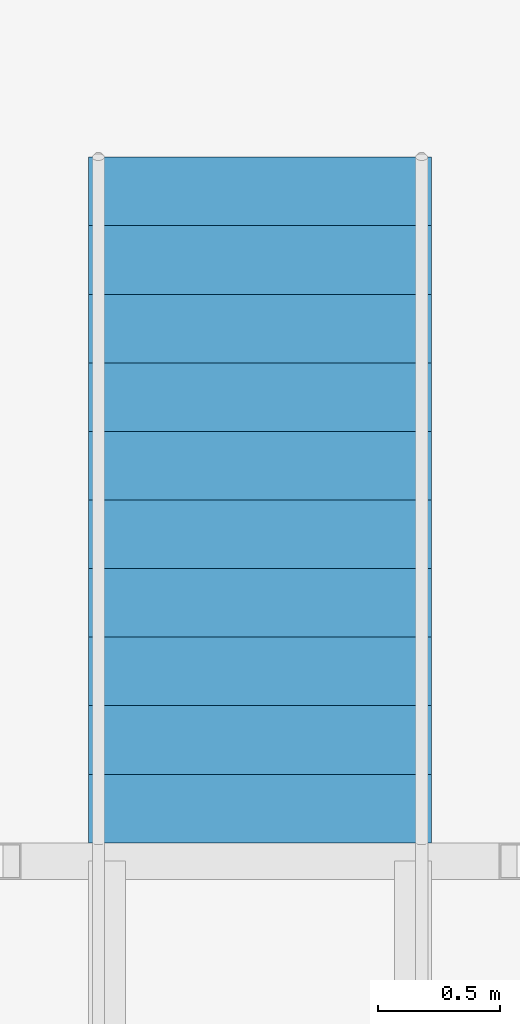
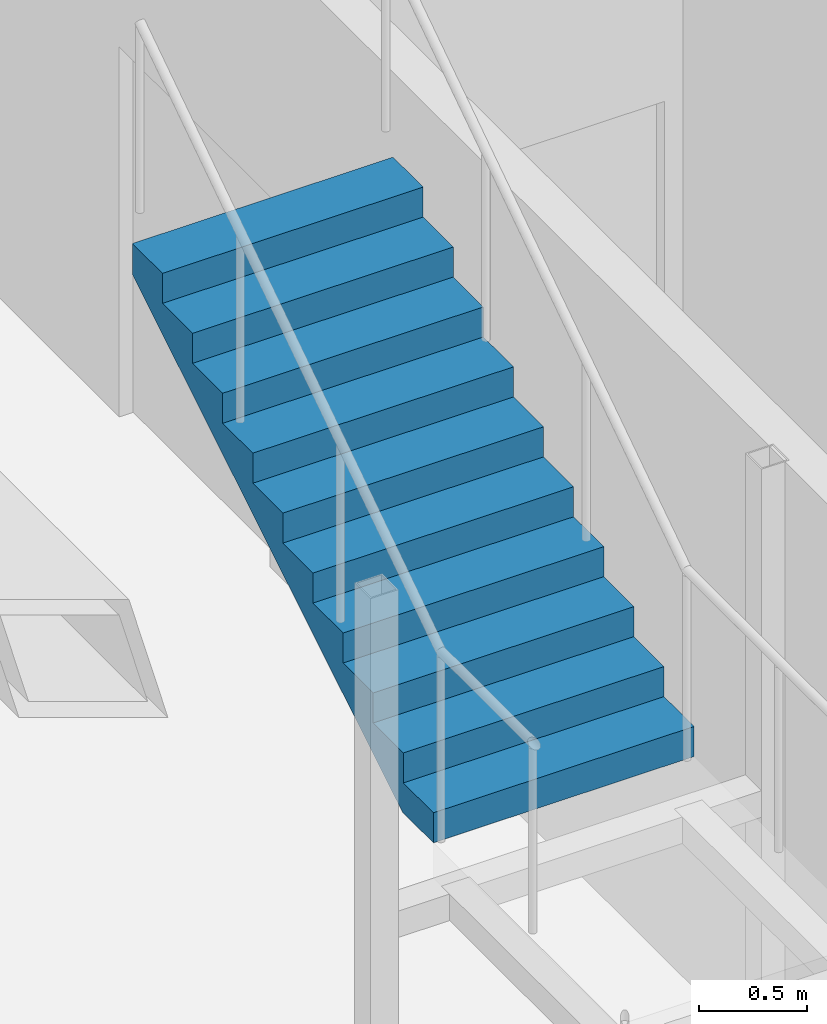
# One storey, part 28 of 29: 1 stair flight, 1 element without a shape of its own.
"""IFC4 building model written with IfcOpenShell, lengths in metres."""

from ifc_helpers import new_model, si_unit, direction, frame, origin, place, context, subcontext, project, spatial, triangles, material, type_object, element, aggregate, save


model = new_model("IFC4")

# Units and contexts
model_context = context("Model", 3, precision=1e-05, world=origin(), true_north=direction((0.0, 1.0)))
body_context = subcontext(model_context, "Body", "Model", "MODEL_VIEW")
ifc_project = project(units=[si_unit("LENGTHUNIT", "METRE"), si_unit("AREAUNIT", "SQUARE_METRE"), si_unit("VOLUMEUNIT", "CUBIC_METRE"), si_unit("PLANEANGLEUNIT", "RADIAN"), si_unit("MASSUNIT", "GRAM", prefix="KILO")], contexts=[model_context])

# Site, building, storey
site_placement = place(None, origin())
site = spatial("IfcSite", under=ifc_project, at=site_placement, CompositionType="ELEMENT")
building_placement = place(site_placement, origin())
building = spatial("IfcBuilding", under=site, at=building_placement, Name="Orbita Commons", CompositionType="ELEMENT")
storey_placement = place(building_placement, frame((0.0, 0.0, 148.60009765625)))
storey = spatial("IfcBuildingStorey", under=building, at=storey_placement, Name="L36", CompositionType="ELEMENT", Elevation=148.60009765625)

# Stair, stair flight
ifc_material_1 = material(Name="Steel ASTM A992 stringers, precast concrete C40/50 terrazzo treads", Category="concrete")
stair_type = type_object("IfcStairType", Name="Feature stair 22 risers 170 x 280 x 1400", PredefinedType="STRAIGHT_RUN_STAIR", material=ifc_material_1)
stair_placement = place(storey_placement, origin())
stair = element("IfcStair", 1, at=stair_placement, inside=storey, type_object=stair_type, Name="Neighbourhood stair L36 to L37", PredefinedType="STRAIGHT_RUN_STAIR")
ifc_material_2 = material(Name="Steel ASTM A992 stringers, precast concrete C40/50 terrazzo treads", Category="concrete")
stair_flight_type = type_object("IfcStairFlightType", Name="Feature stair flight 11 risers 170 x 1400", PredefinedType="STRAIGHT", material=ifc_material_2)
stair_flight_placement = place(storey_placement, frame((14.39990234375, 42.31005859375, 1.875), z_axis=(0.0, 0.0, 1.0), x_axis=(0.0, 1.0, 0.0)))
stair_flight = element("IfcStairFlight", 2, at=stair_flight_placement, type_object=stair_flight_type, Name="FS flight 2", NumberOfRisers=11, NumberOfTreads=10, PredefinedType="STRAIGHT", RiserHeight=0.170454545, TreadLength=0.28, context=body_context, shape_type="Tessellation", body=[
    triangles([(0.0, 0.699951, 0.0), (0.0, 0.699951, 0.021307), (0.0, 0.583293, 0.021307), (0.0, 0.583293, 0.0), (0.0, 0.466634, 0.021307), (0.0, 0.466634, 0.0), (0.0, 0.349976, 0.021307), (0.0, 0.349976, 0.0), (0.0, 0.233317, 0.021307), (0.0, 0.233317, 0.0), (0.0, 0.116659, 0.021307), (0.0, 0.116659, 0.0), (0.0, 0.0, 0.021307), (0.0, 0.0, 0.0), (0.0, -0.116659, 0.021307), (0.0, -0.116659, 0.0), (0.0, -0.233317, 0.021307), (0.0, -0.233317, 0.0), (0.0, -0.349976, 0.021307), (0.0, -0.349976, 0.0), (0.0, -0.466634, 0.021307), (0.0, -0.466634, 0.0), (0.0, -0.583293, 0.021307), (0.0, -0.583293, 0.0), (0.0, -0.699951, 0.021307), (0.0, -0.699951, 0.0), (0.0, 0.699951, 0.042614), (0.0, 0.583293, 0.042614), (0.0, 0.466634, 0.042614), (0.0, 0.349976, 0.042614), (0.0, 0.233317, 0.042614), (0.0, 0.116659, 0.042614), (0.0, 0.0, 0.042614), (0.0, -0.116659, 0.042614), (0.0, -0.233317, 0.042614), (0.0, -0.349976, 0.042614), (0.0, -0.466634, 0.042614), (0.0, -0.583293, 0.042614), (0.0, -0.699951, 0.042614), (0.0, 0.699951, 0.06392), (0.0, 0.583293, 0.06392), (0.0, 0.466634, 0.06392), (0.0, 0.349976, 0.06392), (0.0, 0.233317, 0.06392), (0.0, 0.116659, 0.06392), (0.0, 0.0, 0.06392), (0.0, -0.116659, 0.06392), (0.0, -0.233317, 0.06392), (0.0, -0.349976, 0.06392), (0.0, -0.466634, 0.06392), (0.0, -0.583293, 0.06392), (0.0, -0.699951, 0.06392), (0.0, 0.699951, 0.085227), (0.0, 0.583293, 0.085227), (0.0, 0.466634, 0.085227), (0.0, 0.349976, 0.085227), (0.0, 0.233317, 0.085227), (0.0, 0.116659, 0.085227), (0.0, 0.0, 0.085227), (0.0, -0.116659, 0.085227), (0.0, -0.233317, 0.085227), (0.0, -0.349976, 0.085227), (0.0, -0.466634, 0.085227), (0.0, -0.583293, 0.085227), (0.0, -0.699951, 0.085227), (0.0, 0.699951, 0.106534), (0.0, 0.583293, 0.106534), (0.0, 0.466634, 0.106534), (0.0, 0.349976, 0.106534), (0.0, 0.233317, 0.106534), (0.0, 0.116659, 0.106534), (0.0, 0.0, 0.106534), (0.0, -0.116659, 0.106534), (0.0, -0.233317, 0.106534), (0.0, -0.349976, 0.106534), (0.0, -0.466634, 0.106534), (0.0, -0.583293, 0.106534), (0.0, -0.699951, 0.106534), (0.0, 0.699951, 0.127841), (0.0, 0.583293, 0.127841), (0.0, 0.466634, 0.127841), (0.0, 0.349976, 0.127841), (0.0, 0.233317, 0.127841), (0.0, 0.116659, 0.127841), (0.0, 0.0, 0.127841), (0.0, -0.116659, 0.127841), (0.0, -0.233317, 0.127841), (0.0, -0.349976, 0.127841), (0.0, -0.466634, 0.127841), (0.0, -0.583293, 0.127841), (0.0, -0.699951, 0.127841), (0.0, 0.699951, 0.149148), (0.0, 0.583293, 0.149148), (0.0, 0.466634, 0.149148), (0.0, 0.349976, 0.149148), (0.0, 0.233317, 0.149148), (0.0, 0.116659, 0.149148), (0.0, 0.0, 0.149148), (0.0, -0.116659, 0.149148), (0.0, -0.233317, 0.149148), (0.0, -0.349976, 0.149148), (0.0, -0.466634, 0.149148), (0.0, -0.583293, 0.149148), (0.0, -0.699951, 0.149148), (0.0, 0.699951, 0.170455), (0.0, 0.583293, 0.170455), (0.0, 0.466634, 0.170455), (0.0, 0.349976, 0.170455), (0.0, 0.233317, 0.170455), (0.0, 0.116659, 0.170455), (0.0, 0.0, 0.170455), (0.0, -0.116659, 0.170455), (0.0, -0.233317, 0.170455), (0.0, -0.349976, 0.170455), (0.0, -0.466634, 0.170455), (0.0, -0.583293, 0.170455), (0.0, -0.699951, 0.170455), (0.28, 0.699951, 0.170455), (0.28, 0.583293, 0.170455), (0.28, 0.466634, 0.170455), (0.28, 0.349976, 0.170455), (0.28, 0.233317, 0.170455), (0.28, 0.116659, 0.170455), (0.28, 0.0, 0.170455), (0.28, -0.116659, 0.170455), (0.28, -0.233317, 0.170455), (0.28, -0.349976, 0.170455), (0.28, -0.466634, 0.170455), (0.28, -0.583293, 0.170455), (0.28, -0.699951, 0.170455), (0.28, 0.699951, 0.340909), (0.28, 0.583293, 0.340909), (0.28, 0.466634, 0.340909), (0.28, 0.349976, 0.340909), (0.28, 0.233317, 0.340909), (0.28, 0.116659, 0.340909), (0.28, 0.0, 0.340909), (0.28, -0.116659, 0.340909), (0.28, -0.233317, 0.340909), (0.28, -0.349976, 0.340909), (0.28, -0.466634, 0.340909), (0.28, -0.583293, 0.340909), (0.28, -0.699951, 0.340909), (0.56, 0.699951, 0.340909), (0.56, 0.583293, 0.340909), (0.56, 0.466634, 0.340909), (0.56, 0.349976, 0.340909), (0.56, 0.233317, 0.340909), (0.56, 0.116659, 0.340909), (0.56, 0.0, 0.340909), (0.56, -0.116659, 0.340909), (0.56, -0.233317, 0.340909), (0.56, -0.349976, 0.340909), (0.56, -0.466634, 0.340909), (0.56, -0.583293, 0.340909), (0.56, -0.699951, 0.340909), (0.56, 0.699951, 0.511364), (0.56, 0.583293, 0.511364), (0.56, 0.466634, 0.511364), (0.56, 0.349976, 0.511364), (0.56, 0.233317, 0.511364), (0.56, 0.116659, 0.511364), (0.56, 0.0, 0.511364), (0.56, -0.116659, 0.511364), (0.56, -0.233317, 0.511364), (0.56, -0.349976, 0.511364), (0.56, -0.466634, 0.511364), (0.56, -0.583293, 0.511364), (0.56, -0.699951, 0.511364), (0.84, 0.699951, 0.511364), (0.84, 0.583293, 0.511364), (0.84, 0.466634, 0.511364), (0.84, 0.349976, 0.511364), (0.84, 0.233317, 0.511364), (0.84, 0.116659, 0.511364), (0.84, 0.0, 0.511364), (0.84, -0.116659, 0.511364), (0.84, -0.233317, 0.511364), (0.84, -0.349976, 0.511364), (0.84, -0.466634, 0.511364), (0.84, -0.583293, 0.511364), (0.84, -0.699951, 0.511364), (0.84, 0.699951, 0.681818), (0.84, 0.583293, 0.681818), (0.84, 0.466634, 0.681818), (0.84, 0.349976, 0.681818), (0.84, 0.233317, 0.681818), (0.84, 0.116659, 0.681818), (0.84, 0.0, 0.681818), (0.84, -0.116659, 0.681818), (0.84, -0.233317, 0.681818), (0.84, -0.349976, 0.681818), (0.84, -0.466634, 0.681818), (0.84, -0.583293, 0.681818), (0.84, -0.699951, 0.681818), (1.12, 0.699951, 0.681818), (1.12, 0.583293, 0.681818), (1.12, 0.466634, 0.681818), (1.12, 0.349976, 0.681818), (1.12, 0.233317, 0.681818), (1.12, 0.116659, 0.681818), (1.12, 0.0, 0.681818), (1.12, -0.116659, 0.681818), (1.12, -0.233317, 0.681818), (1.12, -0.349976, 0.681818), (1.12, -0.466634, 0.681818), (1.12, -0.583293, 0.681818), (1.12, -0.699951, 0.681818), (1.12, 0.699951, 0.852273), (1.12, 0.583293, 0.852273), (1.12, 0.466634, 0.852273), (1.12, 0.349976, 0.852273), (1.12, 0.233317, 0.852273), (1.12, 0.116659, 0.852273), (1.12, 0.0, 0.852273), (1.12, -0.116659, 0.852273), (1.12, -0.233317, 0.852273), (1.12, -0.349976, 0.852273), (1.12, -0.466634, 0.852273), (1.12, -0.583293, 0.852273), (1.12, -0.699951, 0.852273), (1.4, 0.699951, 0.852273), (1.4, 0.583293, 0.852273), (1.4, 0.466634, 0.852273), (1.4, 0.349976, 0.852273), (1.4, 0.233317, 0.852273), (1.4, 0.116659, 0.852273), (1.4, 0.0, 0.852273), (1.4, -0.116659, 0.852273), (1.4, -0.233317, 0.852273), (1.4, -0.349976, 0.852273), (1.4, -0.466634, 0.852273), (1.4, -0.583293, 0.852273), (1.4, -0.699951, 0.852273), (1.4, 0.699951, 1.022727), (1.4, 0.583293, 1.022727), (1.4, 0.466634, 1.022727), (1.4, 0.349976, 1.022727), (1.4, 0.233317, 1.022727), (1.4, 0.116659, 1.022727), (1.4, 0.0, 1.022727), (1.4, -0.116659, 1.022727), (1.4, -0.233317, 1.022727), (1.4, -0.349976, 1.022727), (1.4, -0.466634, 1.022727), (1.4, -0.583293, 1.022727), (1.4, -0.699951, 1.022727), (1.68, 0.699951, 1.022727), (1.68, 0.583293, 1.022727), (1.68, 0.466634, 1.022727), (1.68, 0.349976, 1.022727), (1.68, 0.233317, 1.022727), (1.68, 0.116659, 1.022727), (1.68, 0.0, 1.022727), (1.68, -0.116659, 1.022727), (1.68, -0.233317, 1.022727), (1.68, -0.349976, 1.022727), (1.68, -0.466634, 1.022727), (1.68, -0.583293, 1.022727), (1.68, -0.699951, 1.022727), (1.68, 0.699951, 1.193182), (1.68, 0.583293, 1.193182), (1.68, 0.466634, 1.193182), (1.68, 0.349976, 1.193182), (1.68, 0.233317, 1.193182), (1.68, 0.116659, 1.193182), (1.68, 0.0, 1.193182), (1.68, -0.116659, 1.193182), (1.68, -0.233317, 1.193182), (1.68, -0.349976, 1.193182), (1.68, -0.466634, 1.193182), (1.68, -0.583293, 1.193182), (1.68, -0.699951, 1.193182), (1.96, 0.699951, 1.193182), (1.96, 0.583293, 1.193182), (1.96, 0.466634, 1.193182), (1.96, 0.349976, 1.193182), (1.96, 0.233317, 1.193182), (1.96, 0.116659, 1.193182), (1.96, 0.0, 1.193182), (1.96, -0.116659, 1.193182), (1.96, -0.233317, 1.193182), (1.96, -0.349976, 1.193182), (1.96, -0.466634, 1.193182), (1.96, -0.583293, 1.193182), (1.96, -0.699951, 1.193182), (1.96, 0.699951, 1.363636), (1.96, 0.583293, 1.363636), (1.96, 0.466634, 1.363636), (1.96, 0.349976, 1.363636), (1.96, 0.233317, 1.363636), (1.96, 0.116659, 1.363636), (1.96, 0.0, 1.363636), (1.96, -0.116659, 1.363636), (1.96, -0.233317, 1.363636), (1.96, -0.349976, 1.363636), (1.96, -0.466634, 1.363636), (1.96, -0.583293, 1.363636), (1.96, -0.699951, 1.363636), (2.24, 0.699951, 1.363636), (2.24, 0.583293, 1.363636), (2.24, 0.466634, 1.363636), (2.24, 0.349976, 1.363636), (2.24, 0.233317, 1.363636), (2.24, 0.116659, 1.363636), (2.24, 0.0, 1.363636), (2.24, -0.116659, 1.363636), (2.24, -0.233317, 1.363636), (2.24, -0.349976, 1.363636), (2.24, -0.466634, 1.363636), (2.24, -0.583293, 1.363636), (2.24, -0.699951, 1.363636), (2.24, 0.699951, 1.534091), (2.24, 0.583293, 1.534091), (2.24, 0.466634, 1.534091), (2.24, 0.349976, 1.534091), (2.24, 0.233317, 1.534091), (2.24, 0.116659, 1.534091), (2.24, 0.0, 1.534091), (2.24, -0.116659, 1.534091), (2.24, -0.233317, 1.534091), (2.24, -0.349976, 1.534091), (2.24, -0.466634, 1.534091), (2.24, -0.583293, 1.534091), (2.24, -0.699951, 1.534091), (2.52, 0.699951, 1.534091), (2.52, 0.583293, 1.534091), (2.52, 0.466634, 1.534091), (2.52, 0.349976, 1.534091), (2.52, 0.233317, 1.534091), (2.52, 0.116659, 1.534091), (2.52, 0.0, 1.534091), (2.52, -0.116659, 1.534091), (2.52, -0.233317, 1.534091), (2.52, -0.349976, 1.534091), (2.52, -0.466634, 1.534091), (2.52, -0.583293, 1.534091), (2.52, -0.699951, 1.534091), (2.52, 0.699951, 1.704545), (2.52, 0.583293, 1.704545), (2.52, 0.466634, 1.704545), (2.52, 0.349976, 1.704545), (2.52, 0.233317, 1.704545), (2.52, 0.116659, 1.704545), (2.52, 0.0, 1.704545), (2.52, -0.116659, 1.704545), (2.52, -0.233317, 1.704545), (2.52, -0.349976, 1.704545), (2.52, -0.466634, 1.704545), (2.52, -0.583293, 1.704545), (2.52, -0.699951, 1.704545), (2.8, 0.699951, 1.704545), (2.8, 0.583293, 1.704545), (2.8, 0.466634, 1.704545), (2.8, 0.349976, 1.704545), (2.8, 0.233317, 1.704545), (2.8, 0.116659, 1.704545), (2.8, 0.0, 1.704545), (2.8, -0.116659, 1.704545), (2.8, -0.233317, 1.704545), (2.8, -0.349976, 1.704545), (2.8, -0.466634, 1.704545), (2.8, -0.583293, 1.704545), (2.8, -0.699951, 1.704545), (2.8, 0.699951, 1.682609), (2.8, 0.583293, 1.682609), (2.8, 0.466634, 1.682609), (2.8, 0.349976, 1.682609), (2.8, 0.233317, 1.682609), (2.8, 0.116659, 1.682609), (2.8, 0.0, 1.682609), (2.8, -0.116659, 1.682609), (2.8, -0.233317, 1.682609), (2.8, -0.349976, 1.682609), (2.8, -0.466634, 1.682609), (2.8, -0.583293, 1.682609), (2.8, -0.699951, 1.682609), (2.8, 0.699951, 1.660672), (2.8, 0.583293, 1.660672), (2.8, 0.466634, 1.660672), (2.8, 0.349976, 1.660672), (2.8, 0.233317, 1.660672), (2.8, 0.116659, 1.660672), (2.8, 0.0, 1.660672), (2.8, -0.116659, 1.660672), (2.8, -0.233317, 1.660672), (2.8, -0.349976, 1.660672), (2.8, -0.466634, 1.660672), (2.8, -0.583293, 1.660672), (2.8, -0.699951, 1.660672), (2.8, 0.699951, 1.638735), (2.8, 0.583293, 1.638735), (2.8, 0.466634, 1.638735), (2.8, 0.349976, 1.638735), (2.8, 0.233317, 1.638735), (2.8, 0.116659, 1.638735), (2.8, 0.0, 1.638735), (2.8, -0.116659, 1.638735), (2.8, -0.233317, 1.638735), (2.8, -0.349976, 1.638735), (2.8, -0.466634, 1.638735), (2.8, -0.583293, 1.638735), (2.8, -0.699951, 1.638735), (2.8, 0.699951, 1.616798), (2.8, 0.583293, 1.616798), (2.8, 0.466634, 1.616798), (2.8, 0.349976, 1.616798), (2.8, 0.233317, 1.616798), (2.8, 0.116659, 1.616798), (2.8, 0.0, 1.616798), (2.8, -0.116659, 1.616798), (2.8, -0.233317, 1.616798), (2.8, -0.349976, 1.616798), (2.8, -0.466634, 1.616798), (2.8, -0.583293, 1.616798), (2.8, -0.699951, 1.616798), (2.8, 0.699951, 1.594861), (2.8, 0.583293, 1.594861), (2.8, 0.466634, 1.594861), (2.8, 0.349976, 1.594861), (2.8, 0.233317, 1.594861), (2.8, 0.116659, 1.594861), (2.8, 0.0, 1.594861), (2.8, -0.116659, 1.594861), (2.8, -0.233317, 1.594861), (2.8, -0.349976, 1.594861), (2.8, -0.466634, 1.594861), (2.8, -0.583293, 1.594861), (2.8, -0.699951, 1.594861), (2.8, 0.699951, 1.572925), (2.8, 0.583293, 1.572925), (2.8, 0.466634, 1.572925), (2.8, 0.349976, 1.572925), (2.8, 0.233317, 1.572925), (2.8, 0.116659, 1.572925), (2.8, 0.0, 1.572925), (2.8, -0.116659, 1.572925), (2.8, -0.233317, 1.572925), (2.8, -0.349976, 1.572925), (2.8, -0.466634, 1.572925), (2.8, -0.583293, 1.572925), (2.8, -0.699951, 1.572925), (2.8, 0.699951, 1.550988), (2.8, 0.583293, 1.550988), (2.8, 0.466634, 1.550988), (2.8, 0.349976, 1.550988), (2.8, 0.233317, 1.550988), (2.8, 0.116659, 1.550988), (2.8, 0.0, 1.550988), (2.8, -0.116659, 1.550988), (2.8, -0.233317, 1.550988), (2.8, -0.349976, 1.550988), (2.8, -0.466634, 1.550988), (2.8, -0.583293, 1.550988), (2.8, -0.699951, 1.550988), (2.8, 0.699951, 1.529051), (2.8, 0.583293, 1.529051), (2.8, 0.466634, 1.529051), (2.8, 0.349976, 1.529051), (2.8, 0.233317, 1.529051), (2.8, 0.116659, 1.529051), (2.8, 0.0, 1.529051), (2.8, -0.116659, 1.529051), (2.8, -0.233317, 1.529051), (2.8, -0.349976, 1.529051), (2.8, -0.466634, 1.529051), (2.8, -0.583293, 1.529051), (2.8, -0.699951, 1.529051), (0.288279, 0.699951, 0.0), (0.288279, 0.583293, 0.0), (0.288279, 0.466634, 0.0), (0.288279, 0.349976, 0.0), (0.288279, 0.233317, 0.0), (0.288279, 0.116659, 0.0), (0.288279, 0.0, 0.0), (0.288279, -0.116659, 0.0), (0.288279, -0.233317, 0.0), (0.288279, -0.349976, 0.0), (0.288279, -0.466634, 0.0), (0.288279, -0.583293, 0.0), (0.288279, -0.699951, 0.0)], [[3, 2, 1], [4, 3, 1], [5, 3, 4], [6, 5, 4], [7, 5, 6], [8, 7, 6], [9, 7, 8], [10, 9, 8], [11, 9, 10], [12, 11, 10], [13, 11, 12], [14, 13, 12], [15, 13, 14], [16, 15, 14], [17, 15, 16], [18, 17, 16], [19, 17, 18], [20, 19, 18], [21, 19, 20], [22, 21, 20], [23, 21, 22], [24, 23, 22], [25, 23, 24], [26, 25, 24], [28, 27, 2], [3, 28, 2], [29, 28, 3], [5, 29, 3], [30, 29, 5], [7, 30, 5], [31, 30, 7], [9, 31, 7], [32, 31, 9], [11, 32, 9], [33, 32, 11], [13, 33, 11], [34, 33, 13], [15, 34, 13], [35, 34, 15], [17, 35, 15], [36, 35, 17], [19, 36, 17], [37, 36, 19], [21, 37, 19], [38, 37, 21], [23, 38, 21], [39, 38, 23], [25, 39, 23], [41, 40, 27], [28, 41, 27], [42, 41, 28], [29, 42, 28], [43, 42, 29], [30, 43, 29], [44, 43, 30], [31, 44, 30], [45, 44, 31], [32, 45, 31], [46, 45, 32], [33, 46, 32], [47, 46, 33], [34, 47, 33], [48, 47, 34], [35, 48, 34], [49, 48, 35], [36, 49, 35], [50, 49, 36], [37, 50, 36], [51, 50, 37], [38, 51, 37], [52, 51, 38], [39, 52, 38], [54, 53, 40], [41, 54, 40], [55, 54, 41], [42, 55, 41], [56, 55, 42], [43, 56, 42], [57, 56, 43], [44, 57, 43], [58, 57, 44], [45, 58, 44], [59, 58, 45], [46, 59, 45], [60, 59, 46], [47, 60, 46], [61, 60, 47], [48, 61, 47], [62, 61, 48], [49, 62, 48], [63, 62, 49], [50, 63, 49], [64, 63, 50], [51, 64, 50], [65, 64, 51], [52, 65, 51], [67, 66, 53], [54, 67, 53], [68, 67, 54], [55, 68, 54], [69, 68, 55], [56, 69, 55], [70, 69, 56], [57, 70, 56], [71, 70, 57], [58, 71, 57], [72, 71, 58], [59, 72, 58], [73, 72, 59], [60, 73, 59], [74, 73, 60], [61, 74, 60], [75, 74, 61], [62, 75, 61], [76, 75, 62], [63, 76, 62], [77, 76, 63], [64, 77, 63], [78, 77, 64], [65, 78, 64], [80, 79, 66], [67, 80, 66], [81, 80, 67], [68, 81, 67], [82, 81, 68], [69, 82, 68], [83, 82, 69], [70, 83, 69], [84, 83, 70], [71, 84, 70], [85, 84, 71], [72, 85, 71], [86, 85, 72], [73, 86, 72], [87, 86, 73], [74, 87, 73], [88, 87, 74], [75, 88, 74], [89, 88, 75], [76, 89, 75], [90, 89, 76], [77, 90, 76], [91, 90, 77], [78, 91, 77], [93, 92, 79], [80, 93, 79], [94, 93, 80], [81, 94, 80], [95, 94, 81], [82, 95, 81], [96, 95, 82], [83, 96, 82], [97, 96, 83], [84, 97, 83], [98, 97, 84], [85, 98, 84], [99, 98, 85], [86, 99, 85], [100, 99, 86], [87, 100, 86], [101, 100, 87], [88, 101, 87], [102, 101, 88], [89, 102, 88], [103, 102, 89], [90, 103, 89], [104, 103, 90], [91, 104, 90], [106, 105, 92], [93, 106, 92], [107, 106, 93], [94, 107, 93], [108, 107, 94], [95, 108, 94], [109, 108, 95], [96, 109, 95], [110, 109, 96], [97, 110, 96], [111, 110, 97], [98, 111, 97], [112, 111, 98], [99, 112, 98], [113, 112, 99], [100, 113, 99], [114, 113, 100], [101, 114, 100], [115, 114, 101], [102, 115, 101], [116, 115, 102], [103, 116, 102], [117, 116, 103], [104, 117, 103], [119, 118, 105], [106, 119, 105], [120, 119, 106], [107, 120, 106], [121, 120, 107], [108, 121, 107], [122, 121, 108], [109, 122, 108], [123, 122, 109], [110, 123, 109], [124, 123, 110], [111, 124, 110], [125, 124, 111], [112, 125, 111], [126, 125, 112], [113, 126, 112], [127, 126, 113], [114, 127, 113], [128, 127, 114], [115, 128, 114], [129, 128, 115], [116, 129, 115], [130, 129, 116], [117, 130, 116], [132, 131, 118], [119, 132, 118], [133, 132, 119], [120, 133, 119], [134, 133, 120], [121, 134, 120], [135, 134, 121], [122, 135, 121], [136, 135, 122], [123, 136, 122], [137, 136, 123], [124, 137, 123], [138, 137, 124], [125, 138, 124], [139, 138, 125], [126, 139, 125], [140, 139, 126], [127, 140, 126], [141, 140, 127], [128, 141, 127], [142, 141, 128], [129, 142, 128], [143, 142, 129], [130, 143, 129], [145, 144, 131], [132, 145, 131], [146, 145, 132], [133, 146, 132], [147, 146, 133], [134, 147, 133], [148, 147, 134], [135, 148, 134], [149, 148, 135], [136, 149, 135], [150, 149, 136], [137, 150, 136], [151, 150, 137], [138, 151, 137], [152, 151, 138], [139, 152, 138], [153, 152, 139], [140, 153, 139], [154, 153, 140], [141, 154, 140], [155, 154, 141], [142, 155, 141], [156, 155, 142], [143, 156, 142], [158, 157, 144], [145, 158, 144], [159, 158, 145], [146, 159, 145], [160, 159, 146], [147, 160, 146], [161, 160, 147], [148, 161, 147], [162, 161, 148], [149, 162, 148], [163, 162, 149], [150, 163, 149], [164, 163, 150], [151, 164, 150], [165, 164, 151], [152, 165, 151], [166, 165, 152], [153, 166, 152], [167, 166, 153], [154, 167, 153], [168, 167, 154], [155, 168, 154], [169, 168, 155], [156, 169, 155], [171, 170, 157], [158, 171, 157], [172, 171, 158], [159, 172, 158], [173, 172, 159], [160, 173, 159], [174, 173, 160], [161, 174, 160], [175, 174, 161], [162, 175, 161], [176, 175, 162], [163, 176, 162], [177, 176, 163], [164, 177, 163], [178, 177, 164], [165, 178, 164], [179, 178, 165], [166, 179, 165], [180, 179, 166], [167, 180, 166], [181, 180, 167], [168, 181, 167], [182, 181, 168], [169, 182, 168], [184, 183, 170], [171, 184, 170], [185, 184, 171], [172, 185, 171], [186, 185, 172], [173, 186, 172], [187, 186, 173], [174, 187, 173], [188, 187, 174], [175, 188, 174], [189, 188, 175], [176, 189, 175], [190, 189, 176], [177, 190, 176], [191, 190, 177], [178, 191, 177], [192, 191, 178], [179, 192, 178], [193, 192, 179], [180, 193, 179], [194, 193, 180], [181, 194, 180], [195, 194, 181], [182, 195, 181], [197, 196, 183], [184, 197, 183], [198, 197, 184], [185, 198, 184], [199, 198, 185], [186, 199, 185], [200, 199, 186], [187, 200, 186], [201, 200, 187], [188, 201, 187], [202, 201, 188], [189, 202, 188], [203, 202, 189], [190, 203, 189], [204, 203, 190], [191, 204, 190], [205, 204, 191], [192, 205, 191], [206, 205, 192], [193, 206, 192], [207, 206, 193], [194, 207, 193], [208, 207, 194], [195, 208, 194], [210, 209, 196], [197, 210, 196], [211, 210, 197], [198, 211, 197], [212, 211, 198], [199, 212, 198], [213, 212, 199], [200, 213, 199], [214, 213, 200], [201, 214, 200], [215, 214, 201], [202, 215, 201], [216, 215, 202], [203, 216, 202], [217, 216, 203], [204, 217, 203], [218, 217, 204], [205, 218, 204], [219, 218, 205], [206, 219, 205], [220, 219, 206], [207, 220, 206], [221, 220, 207], [208, 221, 207], [223, 222, 209], [210, 223, 209], [224, 223, 210], [211, 224, 210], [225, 224, 211], [212, 225, 211], [226, 225, 212], [213, 226, 212], [227, 226, 213], [214, 227, 213], [228, 227, 214], [215, 228, 214], [229, 228, 215], [216, 229, 215], [230, 229, 216], [217, 230, 216], [231, 230, 217], [218, 231, 217], [232, 231, 218], [219, 232, 218], [233, 232, 219], [220, 233, 219], [234, 233, 220], [221, 234, 220], [236, 235, 222], [223, 236, 222], [237, 236, 223], [224, 237, 223], [238, 237, 224], [225, 238, 224], [239, 238, 225], [226, 239, 225], [240, 239, 226], [227, 240, 226], [241, 240, 227], [228, 241, 227], [242, 241, 228], [229, 242, 228], [243, 242, 229], [230, 243, 229], [244, 243, 230], [231, 244, 230], [245, 244, 231], [232, 245, 231], [246, 245, 232], [233, 246, 232], [247, 246, 233], [234, 247, 233], [249, 248, 235], [236, 249, 235], [250, 249, 236], [237, 250, 236], [251, 250, 237], [238, 251, 237], [252, 251, 238], [239, 252, 238], [253, 252, 239], [240, 253, 239], [254, 253, 240], [241, 254, 240], [255, 254, 241], [242, 255, 241], [256, 255, 242], [243, 256, 242], [257, 256, 243], [244, 257, 243], [258, 257, 244], [245, 258, 244], [259, 258, 245], [246, 259, 245], [260, 259, 246], [247, 260, 246], [262, 261, 248], [249, 262, 248], [263, 262, 249], [250, 263, 249], [264, 263, 250], [251, 264, 250], [265, 264, 251], [252, 265, 251], [266, 265, 252], [253, 266, 252], [267, 266, 253], [254, 267, 253], [268, 267, 254], [255, 268, 254], [269, 268, 255], [256, 269, 255], [270, 269, 256], [257, 270, 256], [271, 270, 257], [258, 271, 257], [272, 271, 258], [259, 272, 258], [273, 272, 259], [260, 273, 259], [275, 274, 261], [262, 275, 261], [276, 275, 262], [263, 276, 262], [277, 276, 263], [264, 277, 263], [278, 277, 264], [265, 278, 264], [279, 278, 265], [266, 279, 265], [280, 279, 266], [267, 280, 266], [281, 280, 267], [268, 281, 267], [282, 281, 268], [269, 282, 268], [283, 282, 269], [270, 283, 269], [284, 283, 270], [271, 284, 270], [285, 284, 271], [272, 285, 271], [286, 285, 272], [273, 286, 272], [288, 287, 274], [275, 288, 274], [289, 288, 275], [276, 289, 275], [290, 289, 276], [277, 290, 276], [291, 290, 277], [278, 291, 277], [292, 291, 278], [279, 292, 278], [293, 292, 279], [280, 293, 279], [294, 293, 280], [281, 294, 280], [295, 294, 281], [282, 295, 281], [296, 295, 282], [283, 296, 282], [297, 296, 283], [284, 297, 283], [298, 297, 284], [285, 298, 284], [299, 298, 285], [286, 299, 285], [301, 300, 287], [288, 301, 287], [302, 301, 288], [289, 302, 288], [303, 302, 289], [290, 303, 289], [304, 303, 290], [291, 304, 290], [305, 304, 291], [292, 305, 291], [306, 305, 292], [293, 306, 292], [307, 306, 293], [294, 307, 293], [308, 307, 294], [295, 308, 294], [309, 308, 295], [296, 309, 295], [310, 309, 296], [297, 310, 296], [311, 310, 297], [298, 311, 297], [312, 311, 298], [299, 312, 298], [314, 313, 300], [301, 314, 300], [315, 314, 301], [302, 315, 301], [316, 315, 302], [303, 316, 302], [317, 316, 303], [304, 317, 303], [318, 317, 304], [305, 318, 304], [319, 318, 305], [306, 319, 305], [320, 319, 306], [307, 320, 306], [321, 320, 307], [308, 321, 307], [322, 321, 308], [309, 322, 308], [323, 322, 309], [310, 323, 309], [324, 323, 310], [311, 324, 310], [325, 324, 311], [312, 325, 311], [327, 326, 313], [314, 327, 313], [328, 327, 314], [315, 328, 314], [329, 328, 315], [316, 329, 315], [330, 329, 316], [317, 330, 316], [331, 330, 317], [318, 331, 317], [332, 331, 318], [319, 332, 318], [333, 332, 319], [320, 333, 319], [334, 333, 320], [321, 334, 320], [335, 334, 321], [322, 335, 321], [336, 335, 322], [323, 336, 322], [337, 336, 323], [324, 337, 323], [338, 337, 324], [325, 338, 324], [340, 339, 326], [327, 340, 326], [341, 340, 327], [328, 341, 327], [342, 341, 328], [329, 342, 328], [343, 342, 329], [330, 343, 329], [344, 343, 330], [331, 344, 330], [345, 344, 331], [332, 345, 331], [346, 345, 332], [333, 346, 332], [347, 346, 333], [334, 347, 333], [348, 347, 334], [335, 348, 334], [349, 348, 335], [336, 349, 335], [350, 349, 336], [337, 350, 336], [351, 350, 337], [338, 351, 337], [353, 352, 339], [340, 353, 339], [354, 353, 340], [341, 354, 340], [355, 354, 341], [342, 355, 341], [356, 355, 342], [343, 356, 342], [357, 356, 343], [344, 357, 343], [358, 357, 344], [345, 358, 344], [359, 358, 345], [346, 359, 345], [360, 359, 346], [347, 360, 346], [361, 360, 347], [348, 361, 347], [362, 361, 348], [349, 362, 348], [363, 362, 349], [350, 363, 349], [364, 363, 350], [351, 364, 350], [366, 365, 352], [353, 366, 352], [367, 366, 353], [354, 367, 353], [368, 367, 354], [355, 368, 354], [369, 368, 355], [356, 369, 355], [370, 369, 356], [357, 370, 356], [371, 370, 357], [358, 371, 357], [372, 371, 358], [359, 372, 358], [373, 372, 359], [360, 373, 359], [374, 373, 360], [361, 374, 360], [375, 374, 361], [362, 375, 361], [376, 375, 362], [363, 376, 362], [377, 376, 363], [364, 377, 363], [379, 378, 365], [366, 379, 365], [380, 379, 366], [367, 380, 366], [381, 380, 367], [368, 381, 367], [382, 381, 368], [369, 382, 368], [383, 382, 369], [370, 383, 369], [384, 383, 370], [371, 384, 370], [385, 384, 371], [372, 385, 371], [386, 385, 372], [373, 386, 372], [387, 386, 373], [374, 387, 373], [388, 387, 374], [375, 388, 374], [389, 388, 375], [376, 389, 375], [390, 389, 376], [377, 390, 376], [392, 391, 378], [379, 392, 378], [393, 392, 379], [380, 393, 379], [394, 393, 380], [381, 394, 380], [395, 394, 381], [382, 395, 381], [396, 395, 382], [383, 396, 382], [397, 396, 383], [384, 397, 383], [398, 397, 384], [385, 398, 384], [399, 398, 385], [386, 399, 385], [400, 399, 386], [387, 400, 386], [401, 400, 387], [388, 401, 387], [402, 401, 388], [389, 402, 388], [403, 402, 389], [390, 403, 389], [405, 404, 391], [392, 405, 391], [406, 405, 392], [393, 406, 392], [407, 406, 393], [394, 407, 393], [408, 407, 394], [395, 408, 394], [409, 408, 395], [396, 409, 395], [410, 409, 396], [397, 410, 396], [411, 410, 397], [398, 411, 397], [412, 411, 398], [399, 412, 398], [413, 412, 399], [400, 413, 399], [414, 413, 400], [401, 414, 400], [415, 414, 401], [402, 415, 401], [416, 415, 402], [403, 416, 402], [418, 417, 404], [405, 418, 404], [419, 418, 405], [406, 419, 405], [420, 419, 406], [407, 420, 406], [421, 420, 407], [408, 421, 407], [422, 421, 408], [409, 422, 408], [423, 422, 409], [410, 423, 409], [424, 423, 410], [411, 424, 410], [425, 424, 411], [412, 425, 411], [426, 425, 412], [413, 426, 412], [427, 426, 413], [414, 427, 413], [428, 427, 414], [415, 428, 414], [429, 428, 415], [416, 429, 415], [431, 430, 417], [418, 431, 417], [432, 431, 418], [419, 432, 418], [433, 432, 419], [420, 433, 419], [434, 433, 420], [421, 434, 420], [435, 434, 421], [422, 435, 421], [436, 435, 422], [423, 436, 422], [437, 436, 423], [424, 437, 423], [438, 437, 424], [425, 438, 424], [439, 438, 425], [426, 439, 425], [440, 439, 426], [427, 440, 426], [441, 440, 427], [428, 441, 427], [442, 441, 428], [429, 442, 428], [444, 443, 430], [431, 444, 430], [445, 444, 431], [432, 445, 431], [446, 445, 432], [433, 446, 432], [447, 446, 433], [434, 447, 433], [448, 447, 434], [435, 448, 434], [449, 448, 435], [436, 449, 435], [450, 449, 436], [437, 450, 436], [451, 450, 437], [438, 451, 437], [452, 451, 438], [439, 452, 438], [453, 452, 439], [440, 453, 439], [454, 453, 440], [441, 454, 440], [455, 454, 441], [442, 455, 441], [457, 456, 443], [444, 457, 443], [458, 457, 444], [445, 458, 444], [459, 458, 445], [446, 459, 445], [460, 459, 446], [447, 460, 446], [461, 460, 447], [448, 461, 447], [462, 461, 448], [449, 462, 448], [463, 462, 449], [450, 463, 449], [464, 463, 450], [451, 464, 450], [465, 464, 451], [452, 465, 451], [466, 465, 452], [453, 466, 452], [467, 466, 453], [454, 467, 453], [468, 467, 454], [455, 468, 454], [470, 469, 456], [457, 470, 456], [471, 470, 457], [458, 471, 457], [472, 471, 458], [459, 472, 458], [473, 472, 459], [460, 473, 459], [474, 473, 460], [461, 474, 460], [475, 474, 461], [462, 475, 461], [476, 475, 462], [463, 476, 462], [477, 476, 463], [464, 477, 463], [478, 477, 464], [465, 478, 464], [479, 478, 465], [466, 479, 465], [480, 479, 466], [467, 480, 466], [481, 480, 467], [468, 481, 467], [4, 1, 469], [470, 4, 469], [6, 4, 470], [471, 6, 470], [8, 6, 471], [472, 8, 471], [10, 8, 472], [473, 10, 472], [12, 10, 473], [474, 12, 473], [14, 12, 474], [475, 14, 474], [16, 14, 475], [476, 16, 475], [18, 16, 476], [477, 18, 476], [20, 18, 477], [478, 20, 477], [22, 20, 478], [479, 22, 478], [24, 22, 479], [480, 24, 479], [26, 24, 480], [481, 26, 480], [456, 469, 1], [26, 481, 468], [443, 456, 1], [26, 468, 455], [430, 443, 1], [26, 455, 442], [417, 430, 1], [26, 442, 429], [404, 417, 1], [26, 429, 416], [391, 404, 1], [26, 416, 403], [378, 391, 1], [26, 403, 390], [365, 378, 1], [26, 390, 377], [339, 352, 365], [377, 364, 351], [326, 339, 365], [377, 351, 338], [300, 313, 326], [338, 325, 312], [300, 326, 365], [377, 338, 312], [274, 287, 300], [312, 299, 286], [274, 300, 365], [377, 312, 286], [248, 261, 274], [286, 273, 260], [248, 274, 365], [377, 286, 260], [222, 235, 248], [260, 247, 234], [222, 248, 365], [377, 260, 234], [196, 209, 222], [234, 221, 208], [196, 222, 365], [377, 234, 208], [170, 183, 196], [208, 195, 182], [170, 196, 365], [377, 208, 182], [144, 157, 170], [182, 169, 156], [144, 170, 365], [377, 182, 156], [118, 131, 144], [156, 143, 130], [118, 144, 365], [377, 156, 130], [118, 365, 1], [26, 377, 130], [92, 105, 118], [130, 117, 104], [79, 92, 118], [130, 104, 91], [66, 79, 118], [130, 91, 78], [53, 66, 118], [130, 78, 65], [40, 53, 118], [130, 65, 52], [27, 40, 118], [130, 52, 39], [2, 27, 118], [130, 39, 25], [1, 2, 118], [130, 25, 26]], closed=True),
])
aggregate(stair, [stair_flight])

save(model, "model.ifc")
